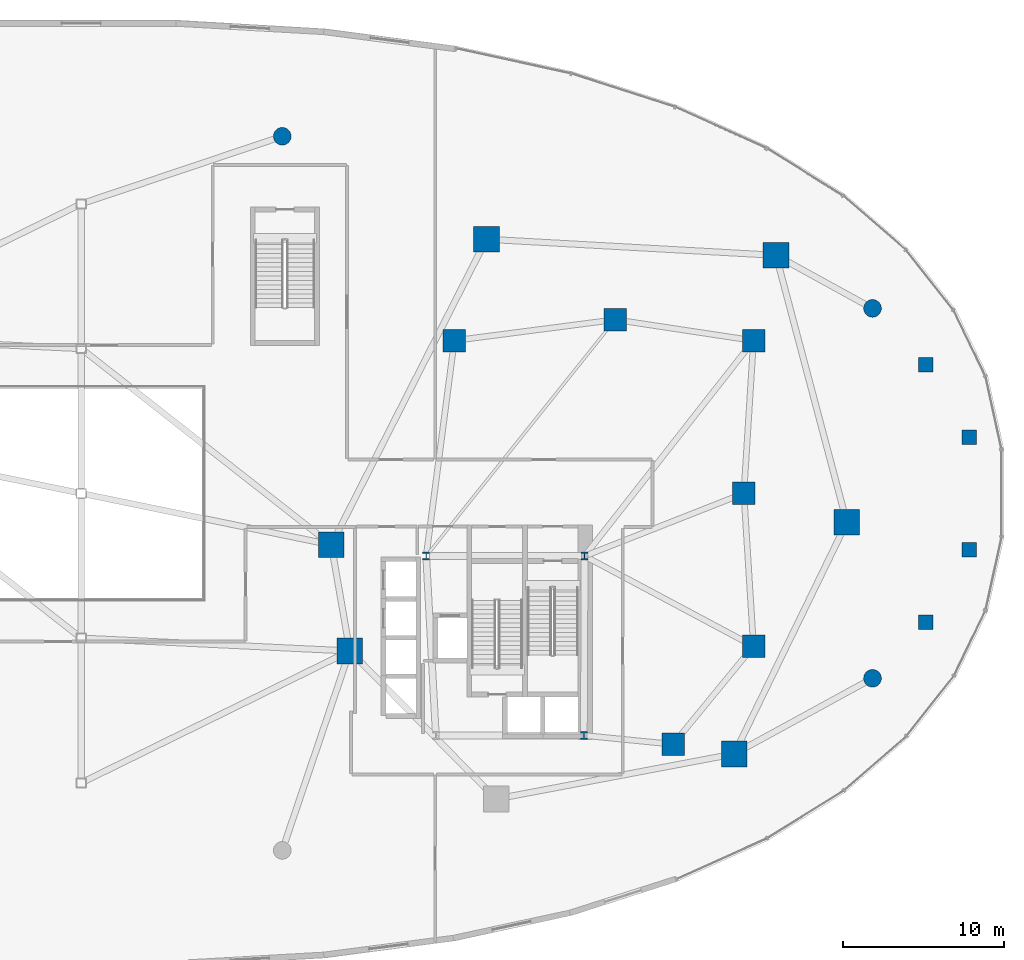
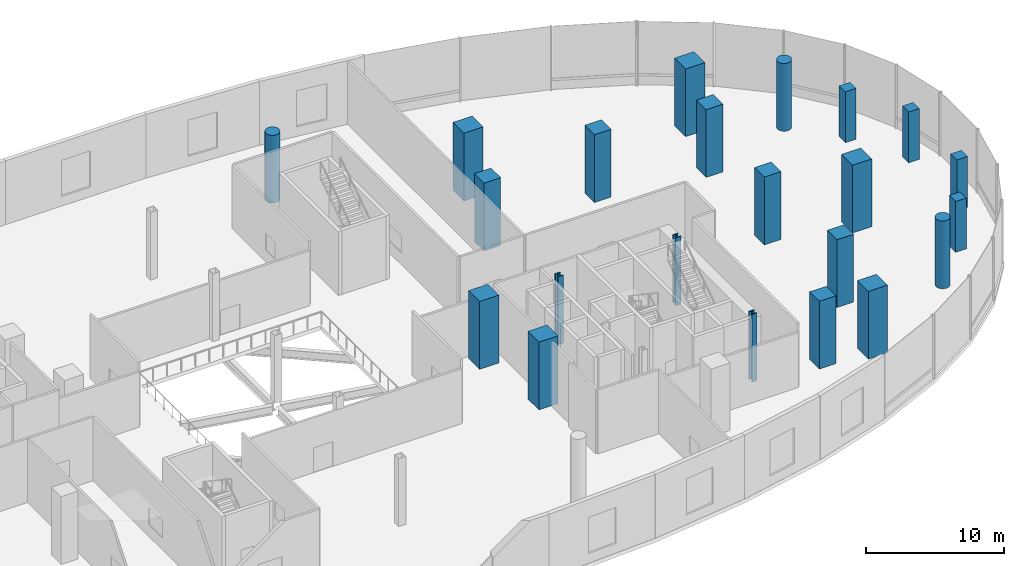
# One storey, part 2 of 20: 22 columns.
"""IFC4 building model written with IfcOpenShell, lengths in metres."""

from ifc_helpers import new_model, si_unit, direction, frame, origin, origin_2d, place, context, subcontext, project, spatial, rectangle, circle, i_section, extrude, material, material_profile, profile_set, type_object, element, save


model = new_model("IFC4")

# Units and contexts
model_context = context("Model", 3, precision=1e-05, world=origin(), true_north=direction((0.0, 1.0)))
body_context = subcontext(model_context, "Body", "Model", "MODEL_VIEW")
ifc_project = project(units=[si_unit("LENGTHUNIT", "METRE"), si_unit("AREAUNIT", "SQUARE_METRE"), si_unit("VOLUMEUNIT", "CUBIC_METRE"), si_unit("PLANEANGLEUNIT", "RADIAN"), si_unit("MASSUNIT", "GRAM", prefix="KILO"), si_unit("THERMODYNAMICTEMPERATUREUNIT", "KELVIN"), si_unit("POWERUNIT", "WATT")], contexts=[model_context])

# Site, building, storey
site_placement = place(None, origin())
site = spatial("IfcSite", under=ifc_project, at=site_placement, CompositionType="ELEMENT")
building_placement = place(site_placement, origin())
building = spatial("IfcBuilding", under=site, at=building_placement, Name="Cundina Bronze Exchange", CompositionType="ELEMENT")
storey_placement = place(building_placement, frame((0.0, 0.0, 6.0)))
storey = spatial("IfcBuildingStorey", under=building, at=storey_placement, Name="L01", CompositionType="ELEMENT", Elevation=6.0)

# Columns
ifc_material_1 = material(Name="Concrete C60/75", Category="concrete")
ifc_material_profile_1 = material_profile(ifc_material_1, rectangle(XDim=1.39990234375, YDim=1.39990234375, at=origin_2d()), Name="RC1400X1400", Category="concrete")
ifc_profile_set_1 = profile_set([ifc_material_profile_1], Name="Concrete C60/75")
column_type_1 = type_object("IfcColumnType", Name="COL-MEGA-1400", PredefinedType="COLUMN", material=ifc_profile_set_1)
for number, where, z_axis, x_axis, name in (
    (1, (41.199951171875, 0.0, 0.0), (0.0, 0.0, 1.0), (1.0, 0.0, 0.0), "L01 E Inner Ring Column 1"),
    (2, (41.800048828125, -9.5, 0.0), (0.0, 0.0, 1.0), (1.0, 0.0, 0.0), "L01 E Inner Ring Column 2"),
    (3, (36.800048828125, -15.60009765625, 0.0), (0.0, 0.0, 1.0), (1.0, 0.0, 0.0), "L01 E Inner Ring Column 3"),
    (4, (41.800048828125, 9.5, 0.0), (0.0, 0.0, 1.0), (1.0, 0.0, 0.0), "L01 E Inner Ring Column 4"),
    (5, (33.199951171875, 10.800048828125, 0.0), (0.0, 0.0, 1.0), (1.0, 0.0, 0.0), "L01 E Inner Ring Column 5"),
    (6, (23.199951171875, 9.5, 0.0), (0.0, 0.0, 1.0), (1.0, 0.0, 0.0), "L01 E Inner Ring Column 6"),
):
    element("IfcColumn", number, at=place(storey_placement, frame(where, z_axis=z_axis, x_axis=x_axis)), inside=storey, type_object=column_type_1, Name=name, PredefinedType="COLUMN", context=body_context, shape_type="SweptSolid", body=[
        extrude(rectangle(XDim=1.39990234375, YDim=1.39990234375, at=origin_2d()), origin(), (0.0, 0.0, 1.0), 6.0),
    ])
ifc_material_profile_2 = material_profile(ifc_material_1, rectangle(XDim=1.60009765625, YDim=1.60009765625, at=origin_2d()), Name="RC1600X1600", Category="concrete")
ifc_profile_set_2 = profile_set([ifc_material_profile_2], Name="Concrete C60/75")
column_type_2 = type_object("IfcColumnType", Name="COL-MEGA-1600", PredefinedType="COLUMN", material=ifc_profile_set_2)
for number, where, z_axis, x_axis, name in (
    (7, (15.550048828125, -3.199951171875, 0.0), (0.0, 0.0, 1.0), (1.0, 0.0, 0.0), "L01 E Podium Mega-Column 00"),
    (8, (16.699951171875, -9.800048828125, 0.0), (0.0, 0.0, 1.0), (1.0, 0.0, 0.0), "L01 E Podium Mega-Column 02"),
    (9, (40.60009765625, -16.199951171875, 0.0), (0.0, 0.0, 1.0), (1.0, 0.0, 0.0), "L01 E Podium Mega-Column 06"),
    (10, (47.60009765625, -1.800048828125, 0.0), (0.0, 0.0, 1.0), (1.0, 0.0, 0.0), "L01 E Podium Mega-Column 08"),
    (11, (43.199951171875, 14.800048828125, 0.0), (0.0, 0.0, 1.0), (1.0, 0.0, 0.0), "L01 E Podium Mega-Column 10"),
    (12, (25.199951171875, 15.800048828125, 0.0), (0.0, 0.0, 1.0), (1.0, 0.0, 0.0), "L01 E Podium Mega-Column 12"),
):
    element("IfcColumn", number, at=place(storey_placement, frame(where, z_axis=z_axis, x_axis=x_axis)), inside=storey, type_object=column_type_2, Name=name, PredefinedType="COLUMN", context=body_context, shape_type="SweptSolid", body=[
        extrude(rectangle(XDim=1.60009765625, YDim=1.60009765625, at=origin_2d()), origin(), (0.0, 0.0, 1.0), 6.0),
    ])
ifc_material_profile_3 = material_profile(ifc_material_1, circle(Radius=0.550048828125, at=origin_2d()), Name="RC1100D", Category="concrete")
ifc_profile_set_3 = profile_set([ifc_material_profile_3], Name="Concrete C60/75")
column_type_3 = type_object("IfcColumnType", Name="COL-PIL-1100D", PredefinedType="PILASTER", material=ifc_profile_set_3)
for number, where, z_axis, x_axis, name in (
    (13, (12.5, 22.199951171875, 0.0), (0.0, 0.0, 1.0), (1.0, 0.0, 0.0), "L01 Podium Colonnade Pilaster 04"),
    (14, (49.199951171875, 11.5, 0.0), (0.0, 0.0, 1.0), (1.0, 0.0, 0.0), "L01 Podium Colonnade Pilaster 07"),
    (15, (49.199951171875, -11.5, 0.0), (0.0, 0.0, 1.0), (1.0, 0.0, 0.0), "L01 Podium Colonnade Pilaster 08"),
):
    element("IfcColumn", number, at=place(storey_placement, frame(where, z_axis=z_axis, x_axis=x_axis)), inside=storey, type_object=column_type_3, Name=name, PredefinedType="PILASTER", context=body_context, shape_type="SweptSolid", body=[
        extrude(circle(Radius=0.550048828125, at=origin_2d()), origin(), (0.0, 0.0, 1.0), 6.0),
    ])
ifc_material_2 = material(Name="Steel ASTM A992 Grade 50", Category="steel")
ifc_material_profile_4 = material_profile(ifc_material_2, i_section(OverallWidth=0.431884765625, OverallDepth=0.498046875, WebThickness=0.0556640625, FlangeThickness=0.0888671875, FilletRadius=0.01806640625, at=origin_2d()), Name="W14X500", Category="steel")
ifc_profile_set_4 = profile_set([ifc_material_profile_4], Name="Steel ASTM A992 Grade 50")
column_type_4 = type_object("IfcColumnType", Name="COL-STL-W14A", PredefinedType="COLUMN", material=ifc_profile_set_4)
for number, where, z_axis, x_axis, name in (
    (16, (31.300048828125, -3.89990234375, 0.0), (0.0, 0.0, 1.0), (1.0, 0.0, 0.0), "L01 Core Anchor Column E1"),
    (17, (21.449951171875, -3.89990234375, 0.0), (0.0, 0.0, 1.0), (1.0, 0.0, 0.0), "L01 Core Anchor Column E2"),
    (18, (31.25, -15.050048828125, 0.0), (0.0, 0.0, 1.0), (1.0, 0.0, 0.0), "L01 Core Anchor Column E4"),
):
    element("IfcColumn", number, at=place(storey_placement, frame(where, z_axis=z_axis, x_axis=x_axis)), inside=storey, type_object=column_type_4, Name=name, PredefinedType="COLUMN", context=body_context, shape_type="SweptSolid", body=[
        extrude(i_section(OverallWidth=0.431884765625, OverallDepth=0.498046875, WebThickness=0.0556640625, FlangeThickness=0.0888671875, FilletRadius=0.01806640625, at=origin_2d()), origin(), (0.0, 0.0, 1.0), 6.0),
    ])
ifc_material_3 = material(Name="Concrete C50/60", Category="concrete")
ifc_material_profile_5 = material_profile(ifc_material_3, rectangle(XDim=0.89990234375, YDim=0.89990234375, at=origin_2d()), Name="RC900X900", Category="concrete")
ifc_profile_set_5 = profile_set([ifc_material_profile_5], Name="Concrete C50/60")
column_type_5 = type_object("IfcColumnType", Name="COL-Z4-900", PredefinedType="COLUMN", material=ifc_profile_set_5)
for number, where, z_axis, x_axis, name in (
    (19, (52.5, -8.0, 0.0), (0.0, 0.0, 1.0), (1.0, 0.0, 0.0), "L01 Podium Crescent Wing Column E1"),
    (20, (52.5, 8.0, 0.0), (0.0, 0.0, 1.0), (1.0, 0.0, 0.0), "L01 Podium Crescent Wing Column E2"),
    (21, (55.199951171875, -3.5, 0.0), (0.0, 0.0, 1.0), (1.0, 0.0, 0.0), "L01 Podium Crescent Wing Column E3"),
    (22, (55.199951171875, 3.5, 0.0), (0.0, 0.0, 1.0), (1.0, 0.0, 0.0), "L01 Podium Crescent Wing Column E4"),
):
    element("IfcColumn", number, at=place(storey_placement, frame(where, z_axis=z_axis, x_axis=x_axis)), inside=storey, type_object=column_type_5, Name=name, PredefinedType="COLUMN", context=body_context, shape_type="SweptSolid", body=[
        extrude(rectangle(XDim=0.89990234375, YDim=0.89990234375, at=origin_2d()), origin(), (0.0, 0.0, 1.0), 4.5),
    ])

save(model, "model.ifc")
